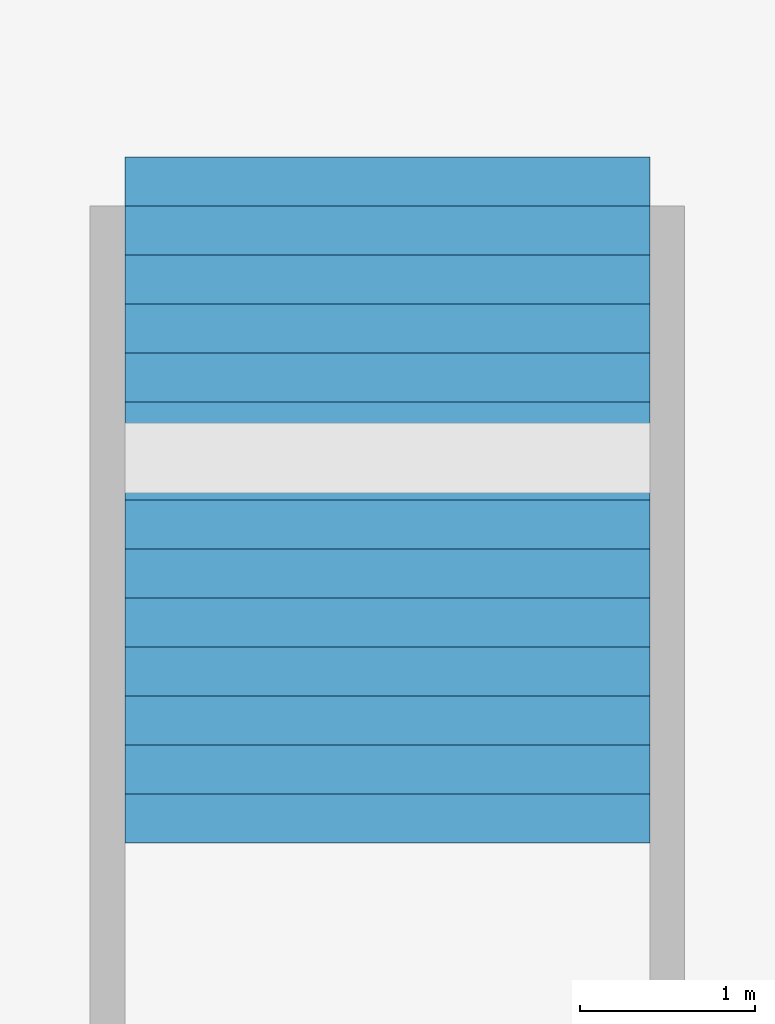
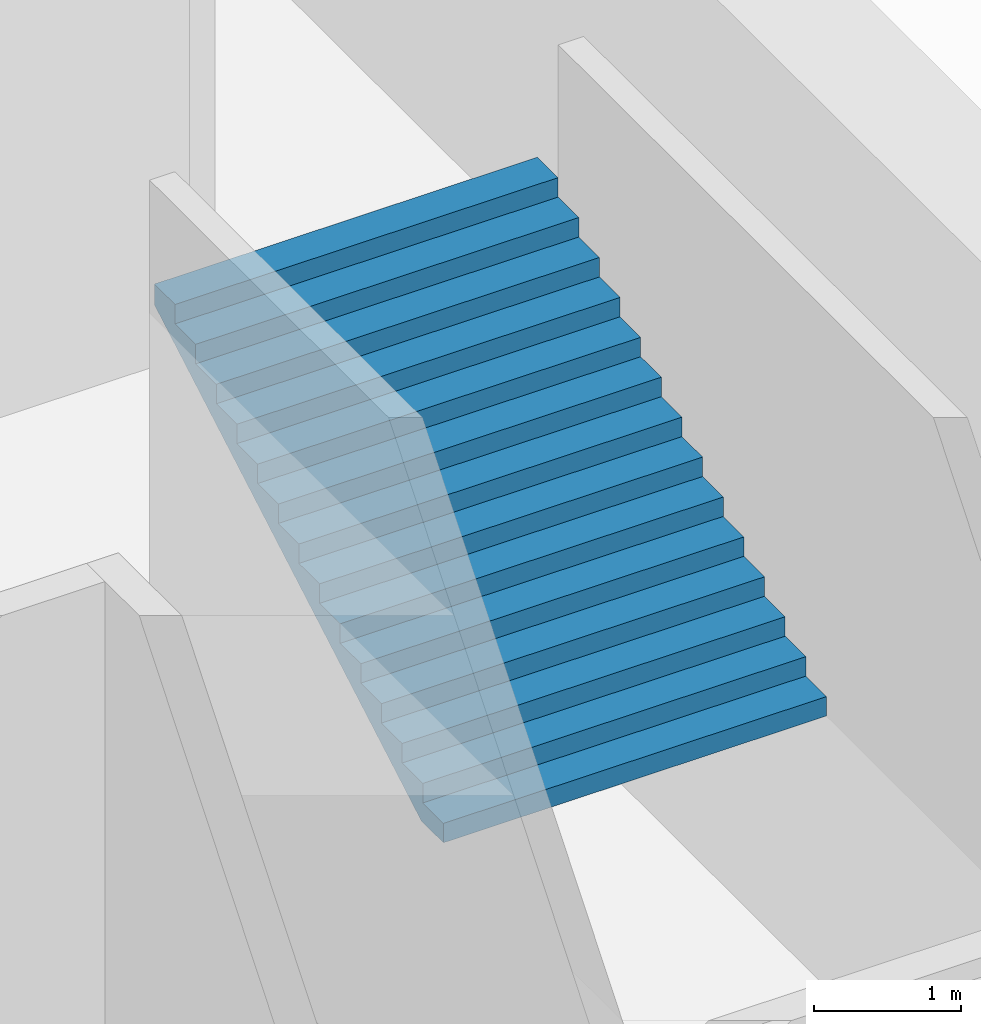
# One storey, part 91 of 115: 1 stair flight, 1 element without a shape of its own.
"""IFC4 building model written with IfcOpenShell, lengths in metres."""

from ifc_helpers import new_model, si_unit, direction, frame, origin, place, context, subcontext, project, spatial, faceted_brep, material, type_object, element, aggregate, save


model = new_model("IFC4")

# Units and contexts
model_context = context("Model", 3, precision=1e-05, world=origin(), true_north=direction((0.0, 1.0)))
body_context = subcontext(model_context, "Body", "Model", "MODEL_VIEW")
ifc_project = project(units=[si_unit("LENGTHUNIT", "METRE"), si_unit("AREAUNIT", "SQUARE_METRE"), si_unit("VOLUMEUNIT", "CUBIC_METRE"), si_unit("PLANEANGLEUNIT", "RADIAN"), si_unit("MASSUNIT", "GRAM", prefix="KILO")], contexts=[model_context])

# Site, building, storey
site_placement = place(None, origin())
site = spatial("IfcSite", under=ifc_project, at=site_placement, CompositionType="ELEMENT")
building_placement = place(site_placement, origin())
building = spatial("IfcBuilding", under=site, at=building_placement, Name="Ogive Plaza Stadium", CompositionType="ELEMENT")
storey_placement = place(building_placement, frame((0.0, 0.0, -4.5)))
storey = spatial("IfcBuildingStorey", under=building, at=storey_placement, Name="B1", CompositionType="ELEMENT", Elevation=-4.5)

# Stair, stair flight
ifc_material_1 = material(Name="Concrete C40/50", Category="concrete")
stair_type = type_object("IfcStairType", Name="Station stair 3000", PredefinedType="TWO_STRAIGHT_RUN_STAIR", material=ifc_material_1)
stair_placement = place(storey_placement, origin())
stair = element("IfcStair", 1, at=stair_placement, inside=storey, type_object=stair_type, Name="Stair QS4", PredefinedType="TWO_STRAIGHT_RUN_STAIR")
ifc_material_2 = material(Name="Concrete C40/50", Category="concrete")
stair_flight_type = type_object("IfcStairFlightType", Name="Station stair flight 3000", PredefinedType="STRAIGHT", material=ifc_material_2)
stair_flight_placement = place(storey_placement, frame((114.89990234375, 13.360107421875, 2.25), z_axis=(0.0, 0.0, 1.0), x_axis=(0.0, 1.0, 0.0)))
stair_flight = element("IfcStairFlight", 2, at=stair_flight_placement, type_object=stair_flight_type, Name="QS4 flight 2", NumberOfRisers=14, NumberOfTreads=13, PredefinedType="STRAIGHT", RiserHeight=0.160714286, TreadLength=0.28, context=body_context, shape_type="Brep", body=[
    faceted_brep([(0.301025390625, -1.5, 0.0), (3.919921875, -1.5, 2.0771484375), (3.919921875, -1.5, 2.25), (3.639892578125, -1.5, 2.25), (3.639892578125, -1.5, 2.08935546875), (3.360107421875, -1.5, 2.08935546875), (3.360107421875, -1.5, 1.928466796875), (3.080078125, -1.5, 1.928466796875), (3.080078125, -1.5, 1.767822265625), (2.800048828125, -1.5, 1.767822265625), (2.800048828125, -1.5, 1.607177734375), (2.52001953125, -1.5, 1.607177734375), (2.52001953125, -1.5, 1.446533203125), (2.239990234375, -1.5, 1.446533203125), (2.239990234375, -1.5, 1.28564453125), (1.9599609375, -1.5, 1.28564453125), (1.9599609375, -1.5, 1.125), (1.679931640625, -1.5, 1.125), (1.679931640625, -1.5, 0.96435546875), (1.39990234375, -1.5, 0.96435546875), (1.39990234375, -1.5, 0.803466796875), (1.1201171875, -1.5, 0.803466796875), (1.1201171875, -1.5, 0.642822265625), (0.840087890625, -1.5, 0.642822265625), (0.840087890625, -1.5, 0.482177734375), (0.56005859375, -1.5, 0.482177734375), (0.56005859375, -1.5, 0.321533203125), (0.280029296875, -1.5, 0.321533203125), (0.280029296875, -1.5, 0.16064453125), (0.0, -1.5, 0.16064453125), (0.0, -1.5, 0.0), (0.0, 1.5, 0.0), (0.0, 1.5, 0.16064453125), (0.280029296875, 1.5, 0.16064453125), (0.280029296875, 1.5, 0.321533203125), (0.56005859375, 1.5, 0.321533203125), (0.56005859375, 1.5, 0.482177734375), (0.840087890625, 1.5, 0.482177734375), (0.840087890625, 1.5, 0.642822265625), (1.1201171875, 1.5, 0.642822265625), (1.1201171875, 1.5, 0.803466796875), (1.39990234375, 1.5, 0.803466796875), (1.39990234375, 1.5, 0.96435546875), (1.679931640625, 1.5, 0.96435546875), (1.679931640625, 1.5, 1.125), (1.9599609375, 1.5, 1.125), (1.9599609375, 1.5, 1.28564453125), (2.239990234375, 1.5, 1.28564453125), (2.239990234375, 1.5, 1.446533203125), (2.52001953125, 1.5, 1.446533203125), (2.52001953125, 1.5, 1.607177734375), (2.800048828125, 1.5, 1.607177734375), (2.800048828125, 1.5, 1.767822265625), (3.080078125, 1.5, 1.767822265625), (3.080078125, 1.5, 1.928466796875), (3.360107421875, 1.5, 1.928466796875), (3.360107421875, 1.5, 2.08935546875), (3.639892578125, 1.5, 2.08935546875), (3.639892578125, 1.5, 2.25), (3.919921875, 1.5, 2.25), (3.919921875, 1.5, 2.0771484375), (0.301025390625, 1.5, 0.0), (0.301025390625, -1.166748046875, 0.0), (3.919921875, -1.166748046875, 2.0771484375), (0.301025390625, -0.833251953125, 0.0), (3.919921875, -0.833251953125, 2.0771484375), (0.301025390625, -0.5, 0.0), (3.919921875, -0.5, 2.0771484375), (0.301025390625, -0.166748046875, 0.0), (3.919921875, -0.166748046875, 2.0771484375), (0.301025390625, 0.166748046875, 0.0), (3.919921875, 0.166748046875, 2.0771484375), (0.301025390625, 0.5, 0.0), (3.919921875, 0.5, 2.0771484375), (0.301025390625, 0.833251953125, 0.0), (3.919921875, 0.833251953125, 2.0771484375), (0.301025390625, 1.166748046875, 0.0), (3.919921875, 1.166748046875, 2.0771484375), (3.919921875, -1.166748046875, 2.25), (3.919921875, -0.833251953125, 2.25), (3.919921875, -0.5, 2.25), (3.919921875, -0.166748046875, 2.25), (3.919921875, 0.166748046875, 2.25), (3.919921875, 0.5, 2.25), (3.919921875, 0.833251953125, 2.25), (3.919921875, 1.166748046875, 2.25), (3.639892578125, -1.166748046875, 2.25), (3.639892578125, -0.833251953125, 2.25), (3.639892578125, -0.5, 2.25), (3.639892578125, -0.166748046875, 2.25), (3.639892578125, 0.166748046875, 2.25), (3.639892578125, 0.5, 2.25), (3.639892578125, 0.833251953125, 2.25), (3.639892578125, 1.166748046875, 2.25), (3.639892578125, -1.166748046875, 2.08935546875), (3.639892578125, -0.833251953125, 2.08935546875), (3.639892578125, -0.5, 2.08935546875), (3.639892578125, -0.166748046875, 2.08935546875), (3.639892578125, 0.166748046875, 2.08935546875), (3.639892578125, 0.5, 2.08935546875), (3.639892578125, 0.833251953125, 2.08935546875), (3.639892578125, 1.166748046875, 2.08935546875), (3.360107421875, -1.166748046875, 2.08935546875), (3.360107421875, -0.833251953125, 2.08935546875), (3.360107421875, -0.5, 2.08935546875), (3.360107421875, -0.166748046875, 2.08935546875), (3.360107421875, 0.166748046875, 2.08935546875), (3.360107421875, 0.5, 2.08935546875), (3.360107421875, 0.833251953125, 2.08935546875), (3.360107421875, 1.166748046875, 2.08935546875), (3.360107421875, -1.166748046875, 1.928466796875), (3.360107421875, -0.833251953125, 1.928466796875), (3.360107421875, -0.5, 1.928466796875), (3.360107421875, -0.166748046875, 1.928466796875), (3.360107421875, 0.166748046875, 1.928466796875), (3.360107421875, 0.5, 1.928466796875), (3.360107421875, 0.833251953125, 1.928466796875), (3.360107421875, 1.166748046875, 1.928466796875), (3.080078125, -1.166748046875, 1.928466796875), (3.080078125, -0.833251953125, 1.928466796875), (3.080078125, -0.5, 1.928466796875), (3.080078125, -0.166748046875, 1.928466796875), (3.080078125, 0.166748046875, 1.928466796875), (3.080078125, 0.5, 1.928466796875), (3.080078125, 0.833251953125, 1.928466796875), (3.080078125, 1.166748046875, 1.928466796875), (3.080078125, -1.166748046875, 1.767822265625), (3.080078125, -0.833251953125, 1.767822265625), (3.080078125, -0.5, 1.767822265625), (3.080078125, -0.166748046875, 1.767822265625), (3.080078125, 0.166748046875, 1.767822265625), (3.080078125, 0.5, 1.767822265625), (3.080078125, 0.833251953125, 1.767822265625), (3.080078125, 1.166748046875, 1.767822265625), (2.800048828125, -1.166748046875, 1.767822265625), (2.800048828125, -0.833251953125, 1.767822265625), (2.800048828125, -0.5, 1.767822265625), (2.800048828125, -0.166748046875, 1.767822265625), (2.800048828125, 0.166748046875, 1.767822265625), (2.800048828125, 0.5, 1.767822265625), (2.800048828125, 0.833251953125, 1.767822265625), (2.800048828125, 1.166748046875, 1.767822265625), (2.800048828125, -1.166748046875, 1.607177734375), (2.800048828125, -0.833251953125, 1.607177734375), (2.800048828125, -0.5, 1.607177734375), (2.800048828125, -0.166748046875, 1.607177734375), (2.800048828125, 0.166748046875, 1.607177734375), (2.800048828125, 0.5, 1.607177734375), (2.800048828125, 0.833251953125, 1.607177734375), (2.800048828125, 1.166748046875, 1.607177734375), (2.52001953125, -1.166748046875, 1.607177734375), (2.52001953125, -0.833251953125, 1.607177734375), (2.52001953125, -0.5, 1.607177734375), (2.52001953125, -0.166748046875, 1.607177734375), (2.52001953125, 0.166748046875, 1.607177734375), (2.52001953125, 0.5, 1.607177734375), (2.52001953125, 0.833251953125, 1.607177734375), (2.52001953125, 1.166748046875, 1.607177734375), (2.52001953125, -1.166748046875, 1.446533203125), (2.52001953125, -0.833251953125, 1.446533203125), (2.52001953125, -0.5, 1.446533203125), (2.52001953125, -0.166748046875, 1.446533203125), (2.52001953125, 0.166748046875, 1.446533203125), (2.52001953125, 0.5, 1.446533203125), (2.52001953125, 0.833251953125, 1.446533203125), (2.52001953125, 1.166748046875, 1.446533203125), (2.239990234375, -1.166748046875, 1.446533203125), (2.239990234375, -0.833251953125, 1.446533203125), (2.239990234375, -0.5, 1.446533203125), (2.239990234375, -0.166748046875, 1.446533203125), (2.239990234375, 0.166748046875, 1.446533203125), (2.239990234375, 0.5, 1.446533203125), (2.239990234375, 0.833251953125, 1.446533203125), (2.239990234375, 1.166748046875, 1.446533203125), (2.239990234375, -1.166748046875, 1.28564453125), (2.239990234375, -0.833251953125, 1.28564453125), (2.239990234375, -0.5, 1.28564453125), (2.239990234375, -0.166748046875, 1.28564453125), (2.239990234375, 0.166748046875, 1.28564453125), (2.239990234375, 0.5, 1.28564453125), (2.239990234375, 0.833251953125, 1.28564453125), (2.239990234375, 1.166748046875, 1.28564453125), (1.9599609375, -1.166748046875, 1.28564453125), (1.9599609375, -0.833251953125, 1.28564453125), (1.9599609375, -0.5, 1.28564453125), (1.9599609375, -0.166748046875, 1.28564453125), (1.9599609375, 0.166748046875, 1.28564453125), (1.9599609375, 0.5, 1.28564453125), (1.9599609375, 0.833251953125, 1.28564453125), (1.9599609375, 1.166748046875, 1.28564453125), (1.9599609375, -1.166748046875, 1.125), (1.9599609375, -0.833251953125, 1.125), (1.9599609375, -0.5, 1.125), (1.9599609375, -0.166748046875, 1.125), (1.9599609375, 0.166748046875, 1.125), (1.9599609375, 0.5, 1.125), (1.9599609375, 0.833251953125, 1.125), (1.9599609375, 1.166748046875, 1.125), (1.679931640625, -1.166748046875, 1.125), (1.679931640625, -0.833251953125, 1.125), (1.679931640625, -0.5, 1.125), (1.679931640625, -0.166748046875, 1.125), (1.679931640625, 0.166748046875, 1.125), (1.679931640625, 0.5, 1.125), (1.679931640625, 0.833251953125, 1.125), (1.679931640625, 1.166748046875, 1.125), (1.679931640625, -1.166748046875, 0.96435546875), (1.679931640625, -0.833251953125, 0.96435546875), (1.679931640625, -0.5, 0.96435546875), (1.679931640625, -0.166748046875, 0.96435546875), (1.679931640625, 0.166748046875, 0.96435546875), (1.679931640625, 0.5, 0.96435546875), (1.679931640625, 0.833251953125, 0.96435546875), (1.679931640625, 1.166748046875, 0.96435546875), (1.39990234375, -1.166748046875, 0.96435546875), (1.39990234375, -0.833251953125, 0.96435546875), (1.39990234375, -0.5, 0.96435546875), (1.39990234375, -0.166748046875, 0.96435546875), (1.39990234375, 0.166748046875, 0.96435546875), (1.39990234375, 0.5, 0.96435546875), (1.39990234375, 0.833251953125, 0.96435546875), (1.39990234375, 1.166748046875, 0.96435546875), (1.39990234375, -1.166748046875, 0.803466796875), (1.39990234375, -0.833251953125, 0.803466796875), (1.39990234375, -0.5, 0.803466796875), (1.39990234375, -0.166748046875, 0.803466796875), (1.39990234375, 0.166748046875, 0.803466796875), (1.39990234375, 0.5, 0.803466796875), (1.39990234375, 0.833251953125, 0.803466796875), (1.39990234375, 1.166748046875, 0.803466796875), (1.1201171875, -1.166748046875, 0.803466796875), (1.1201171875, -0.833251953125, 0.803466796875), (1.1201171875, -0.5, 0.803466796875), (1.1201171875, -0.166748046875, 0.803466796875), (1.1201171875, 0.166748046875, 0.803466796875), (1.1201171875, 0.5, 0.803466796875), (1.1201171875, 0.833251953125, 0.803466796875), (1.1201171875, 1.166748046875, 0.803466796875), (1.1201171875, -1.166748046875, 0.642822265625), (1.1201171875, -0.833251953125, 0.642822265625), (1.1201171875, -0.5, 0.642822265625), (1.1201171875, -0.166748046875, 0.642822265625), (1.1201171875, 0.166748046875, 0.642822265625), (1.1201171875, 0.5, 0.642822265625), (1.1201171875, 0.833251953125, 0.642822265625), (1.1201171875, 1.166748046875, 0.642822265625), (0.840087890625, -1.166748046875, 0.642822265625), (0.840087890625, -0.833251953125, 0.642822265625), (0.840087890625, -0.5, 0.642822265625), (0.840087890625, -0.166748046875, 0.642822265625), (0.840087890625, 0.166748046875, 0.642822265625), (0.840087890625, 0.5, 0.642822265625), (0.840087890625, 0.833251953125, 0.642822265625), (0.840087890625, 1.166748046875, 0.642822265625), (0.840087890625, -1.166748046875, 0.482177734375), (0.840087890625, -0.833251953125, 0.482177734375), (0.840087890625, -0.5, 0.482177734375), (0.840087890625, -0.166748046875, 0.482177734375), (0.840087890625, 0.166748046875, 0.482177734375), (0.840087890625, 0.5, 0.482177734375), (0.840087890625, 0.833251953125, 0.482177734375), (0.840087890625, 1.166748046875, 0.482177734375), (0.56005859375, -1.166748046875, 0.482177734375), (0.56005859375, -0.833251953125, 0.482177734375), (0.56005859375, -0.5, 0.482177734375), (0.56005859375, -0.166748046875, 0.482177734375), (0.56005859375, 0.166748046875, 0.482177734375), (0.56005859375, 0.5, 0.482177734375), (0.56005859375, 0.833251953125, 0.482177734375), (0.56005859375, 1.166748046875, 0.482177734375), (0.56005859375, -1.166748046875, 0.321533203125), (0.56005859375, -0.833251953125, 0.321533203125), (0.56005859375, -0.5, 0.321533203125), (0.56005859375, -0.166748046875, 0.321533203125), (0.56005859375, 0.166748046875, 0.321533203125), (0.56005859375, 0.5, 0.321533203125), (0.56005859375, 0.833251953125, 0.321533203125), (0.56005859375, 1.166748046875, 0.321533203125), (0.280029296875, -1.166748046875, 0.321533203125), (0.280029296875, -0.833251953125, 0.321533203125), (0.280029296875, -0.5, 0.321533203125), (0.280029296875, -0.166748046875, 0.321533203125), (0.280029296875, 0.166748046875, 0.321533203125), (0.280029296875, 0.5, 0.321533203125), (0.280029296875, 0.833251953125, 0.321533203125), (0.280029296875, 1.166748046875, 0.321533203125), (0.280029296875, -1.166748046875, 0.16064453125), (0.280029296875, -0.833251953125, 0.16064453125), (0.280029296875, -0.5, 0.16064453125), (0.280029296875, -0.166748046875, 0.16064453125), (0.280029296875, 0.166748046875, 0.16064453125), (0.280029296875, 0.5, 0.16064453125), (0.280029296875, 0.833251953125, 0.16064453125), (0.280029296875, 1.166748046875, 0.16064453125), (0.0, -1.166748046875, 0.16064453125), (0.0, -0.833251953125, 0.16064453125), (0.0, -0.5, 0.16064453125), (0.0, -0.166748046875, 0.16064453125), (0.0, 0.166748046875, 0.16064453125), (0.0, 0.5, 0.16064453125), (0.0, 0.833251953125, 0.16064453125), (0.0, 1.166748046875, 0.16064453125), (0.0, -1.166748046875, 0.0), (0.0, -0.833251953125, 0.0), (0.0, -0.5, 0.0), (0.0, -0.166748046875, 0.0), (0.0, 0.166748046875, 0.0), (0.0, 0.5, 0.0), (0.0, 0.833251953125, 0.0), (0.0, 1.166748046875, 0.0)], [[[0, 1, 2, 3, 4, 5, 6, 7, 8, 9, 10, 11, 12, 13, 14, 15, 16, 17, 18, 19, 20, 21, 22, 23, 24, 25, 26, 27, 28, 29, 30]], [[31, 32, 33, 34, 35, 36, 37, 38, 39, 40, 41, 42, 43, 44, 45, 46, 47, 48, 49, 50, 51, 52, 53, 54, 55, 56, 57, 58, 59, 60, 61]], [[0, 62, 63, 1]], [[62, 64, 65, 63]], [[64, 66, 67, 65]], [[66, 68, 69, 67]], [[68, 70, 71, 69]], [[70, 72, 73, 71]], [[72, 74, 75, 73]], [[74, 76, 77, 75]], [[76, 61, 60, 77]], [[1, 63, 78, 2]], [[63, 65, 79, 78]], [[65, 67, 80, 79]], [[67, 69, 81, 80]], [[69, 71, 82, 81]], [[71, 73, 83, 82]], [[73, 75, 84, 83]], [[75, 77, 85, 84]], [[77, 60, 59, 85]], [[2, 78, 86, 3]], [[78, 79, 87, 86]], [[79, 80, 88, 87]], [[80, 81, 89, 88]], [[81, 82, 90, 89]], [[82, 83, 91, 90]], [[83, 84, 92, 91]], [[84, 85, 93, 92]], [[85, 59, 58, 93]], [[3, 86, 94, 4]], [[86, 87, 95, 94]], [[87, 88, 96, 95]], [[88, 89, 97, 96]], [[89, 90, 98, 97]], [[90, 91, 99, 98]], [[91, 92, 100, 99]], [[92, 93, 101, 100]], [[93, 58, 57, 101]], [[4, 94, 102, 5]], [[94, 95, 103, 102]], [[95, 96, 104, 103]], [[96, 97, 105, 104]], [[97, 98, 106, 105]], [[98, 99, 107, 106]], [[99, 100, 108, 107]], [[100, 101, 109, 108]], [[101, 57, 56, 109]], [[5, 102, 110, 6]], [[102, 103, 111, 110]], [[103, 104, 112, 111]], [[104, 105, 113, 112]], [[105, 106, 114, 113]], [[106, 107, 115, 114]], [[107, 108, 116, 115]], [[108, 109, 117, 116]], [[109, 56, 55, 117]], [[6, 110, 118, 7]], [[110, 111, 119, 118]], [[111, 112, 120, 119]], [[112, 113, 121, 120]], [[113, 114, 122, 121]], [[114, 115, 123, 122]], [[115, 116, 124, 123]], [[116, 117, 125, 124]], [[117, 55, 54, 125]], [[7, 118, 126, 8]], [[118, 119, 127, 126]], [[119, 120, 128, 127]], [[120, 121, 129, 128]], [[121, 122, 130, 129]], [[122, 123, 131, 130]], [[123, 124, 132, 131]], [[124, 125, 133, 132]], [[125, 54, 53, 133]], [[8, 126, 134, 9]], [[126, 127, 135, 134]], [[127, 128, 136, 135]], [[128, 129, 137, 136]], [[129, 130, 138, 137]], [[130, 131, 139, 138]], [[131, 132, 140, 139]], [[132, 133, 141, 140]], [[133, 53, 52, 141]], [[9, 134, 142, 10]], [[134, 135, 143, 142]], [[135, 136, 144, 143]], [[136, 137, 145, 144]], [[137, 138, 146, 145]], [[138, 139, 147, 146]], [[139, 140, 148, 147]], [[140, 141, 149, 148]], [[141, 52, 51, 149]], [[10, 142, 150, 11]], [[142, 143, 151, 150]], [[143, 144, 152, 151]], [[144, 145, 153, 152]], [[145, 146, 154, 153]], [[146, 147, 155, 154]], [[147, 148, 156, 155]], [[148, 149, 157, 156]], [[149, 51, 50, 157]], [[11, 150, 158, 12]], [[150, 151, 159, 158]], [[151, 152, 160, 159]], [[152, 153, 161, 160]], [[153, 154, 162, 161]], [[154, 155, 163, 162]], [[155, 156, 164, 163]], [[156, 157, 165, 164]], [[157, 50, 49, 165]], [[12, 158, 166, 13]], [[158, 159, 167, 166]], [[159, 160, 168, 167]], [[160, 161, 169, 168]], [[161, 162, 170, 169]], [[162, 163, 171, 170]], [[163, 164, 172, 171]], [[164, 165, 173, 172]], [[165, 49, 48, 173]], [[13, 166, 174, 14]], [[166, 167, 175, 174]], [[167, 168, 176, 175]], [[168, 169, 177, 176]], [[169, 170, 178, 177]], [[170, 171, 179, 178]], [[171, 172, 180, 179]], [[172, 173, 181, 180]], [[173, 48, 47, 181]], [[14, 174, 182, 15]], [[174, 175, 183, 182]], [[175, 176, 184, 183]], [[176, 177, 185, 184]], [[177, 178, 186, 185]], [[178, 179, 187, 186]], [[179, 180, 188, 187]], [[180, 181, 189, 188]], [[181, 47, 46, 189]], [[15, 182, 190, 16]], [[182, 183, 191, 190]], [[183, 184, 192, 191]], [[184, 185, 193, 192]], [[185, 186, 194, 193]], [[186, 187, 195, 194]], [[187, 188, 196, 195]], [[188, 189, 197, 196]], [[189, 46, 45, 197]], [[16, 190, 198, 17]], [[190, 191, 199, 198]], [[191, 192, 200, 199]], [[192, 193, 201, 200]], [[193, 194, 202, 201]], [[194, 195, 203, 202]], [[195, 196, 204, 203]], [[196, 197, 205, 204]], [[197, 45, 44, 205]], [[17, 198, 206, 18]], [[198, 199, 207, 206]], [[199, 200, 208, 207]], [[200, 201, 209, 208]], [[201, 202, 210, 209]], [[202, 203, 211, 210]], [[203, 204, 212, 211]], [[204, 205, 213, 212]], [[205, 44, 43, 213]], [[18, 206, 214, 19]], [[206, 207, 215, 214]], [[207, 208, 216, 215]], [[208, 209, 217, 216]], [[209, 210, 218, 217]], [[210, 211, 219, 218]], [[211, 212, 220, 219]], [[212, 213, 221, 220]], [[213, 43, 42, 221]], [[19, 214, 222, 20]], [[214, 215, 223, 222]], [[215, 216, 224, 223]], [[216, 217, 225, 224]], [[217, 218, 226, 225]], [[218, 219, 227, 226]], [[219, 220, 228, 227]], [[220, 221, 229, 228]], [[221, 42, 41, 229]], [[20, 222, 230, 21]], [[222, 223, 231, 230]], [[223, 224, 232, 231]], [[224, 225, 233, 232]], [[225, 226, 234, 233]], [[226, 227, 235, 234]], [[227, 228, 236, 235]], [[228, 229, 237, 236]], [[229, 41, 40, 237]], [[21, 230, 238, 22]], [[230, 231, 239, 238]], [[231, 232, 240, 239]], [[232, 233, 241, 240]], [[233, 234, 242, 241]], [[234, 235, 243, 242]], [[235, 236, 244, 243]], [[236, 237, 245, 244]], [[237, 40, 39, 245]], [[22, 238, 246, 23]], [[238, 239, 247, 246]], [[239, 240, 248, 247]], [[240, 241, 249, 248]], [[241, 242, 250, 249]], [[242, 243, 251, 250]], [[243, 244, 252, 251]], [[244, 245, 253, 252]], [[245, 39, 38, 253]], [[23, 246, 254, 24]], [[246, 247, 255, 254]], [[247, 248, 256, 255]], [[248, 249, 257, 256]], [[249, 250, 258, 257]], [[250, 251, 259, 258]], [[251, 252, 260, 259]], [[252, 253, 261, 260]], [[253, 38, 37, 261]], [[24, 254, 262, 25]], [[254, 255, 263, 262]], [[255, 256, 264, 263]], [[256, 257, 265, 264]], [[257, 258, 266, 265]], [[258, 259, 267, 266]], [[259, 260, 268, 267]], [[260, 261, 269, 268]], [[261, 37, 36, 269]], [[25, 262, 270, 26]], [[262, 263, 271, 270]], [[263, 264, 272, 271]], [[264, 265, 273, 272]], [[265, 266, 274, 273]], [[266, 267, 275, 274]], [[267, 268, 276, 275]], [[268, 269, 277, 276]], [[269, 36, 35, 277]], [[26, 270, 278, 27]], [[270, 271, 279, 278]], [[271, 272, 280, 279]], [[272, 273, 281, 280]], [[273, 274, 282, 281]], [[274, 275, 283, 282]], [[275, 276, 284, 283]], [[276, 277, 285, 284]], [[277, 35, 34, 285]], [[27, 278, 286, 28]], [[278, 279, 287, 286]], [[279, 280, 288, 287]], [[280, 281, 289, 288]], [[281, 282, 290, 289]], [[282, 283, 291, 290]], [[283, 284, 292, 291]], [[284, 285, 293, 292]], [[285, 34, 33, 293]], [[28, 286, 294, 29]], [[286, 287, 295, 294]], [[287, 288, 296, 295]], [[288, 289, 297, 296]], [[289, 290, 298, 297]], [[290, 291, 299, 298]], [[291, 292, 300, 299]], [[292, 293, 301, 300]], [[293, 33, 32, 301]], [[29, 294, 302, 30]], [[294, 295, 303, 302]], [[295, 296, 304, 303]], [[296, 297, 305, 304]], [[297, 298, 306, 305]], [[298, 299, 307, 306]], [[299, 300, 308, 307]], [[300, 301, 309, 308]], [[301, 32, 31, 309]], [[30, 302, 62, 0]], [[302, 303, 64, 62]], [[303, 304, 66, 64]], [[304, 305, 68, 66]], [[305, 306, 70, 68]], [[306, 307, 72, 70]], [[307, 308, 74, 72]], [[308, 309, 76, 74]], [[309, 31, 61, 76]]]),
])
aggregate(stair, [stair_flight])

save(model, "model.ifc")
